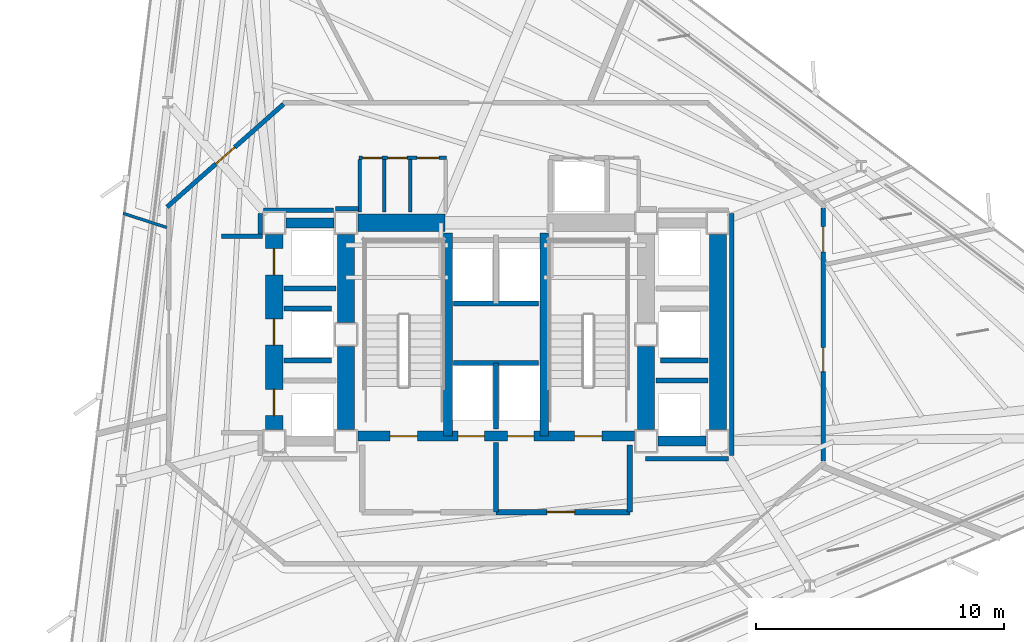
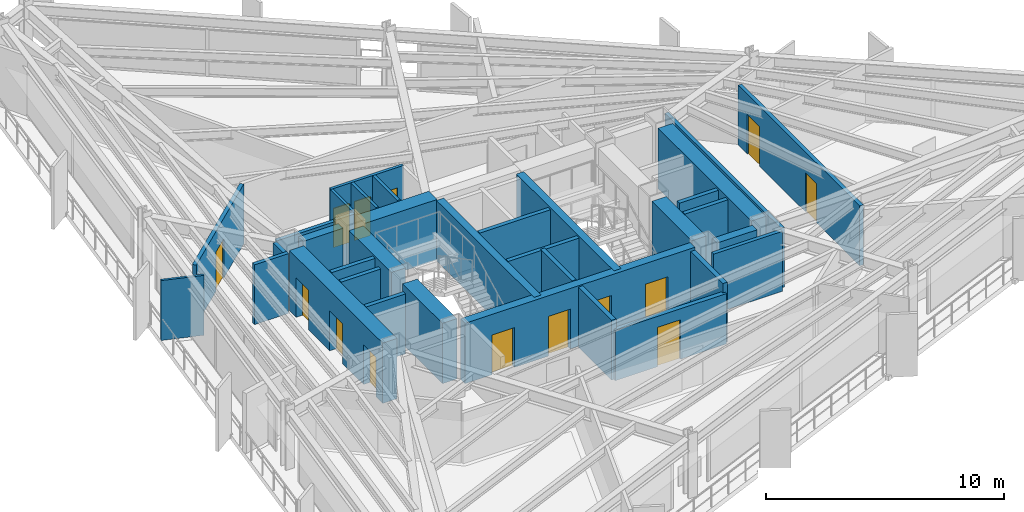
# One storey, part 7 of 13: 35 walls, 14 doors, 14 openings.
"""IFC4 building model written with IfcOpenShell, lengths in metres."""

import ifcopenshell
import ifcopenshell.guid

model = None  # the IFC model being written
_history = None  # IfcOwnerHistory: only IFC2X3 demands one
_inside = {}  # id of a spatial element -> (the spatial element, [elements in it])
_under = {}  # id of a project, library or spatial element -> (it, [spatial elements below it])
_declared = {}  # id of a project -> (the project, [libraries it declares])
_typed = {}  # id of a type object -> (the type object, [elements of that type])
_made_of = {}  # id of a material, layer set ... -> (it, [elements and type objects made of it])


def new_model(schema):
    """Start an empty IFC model of exactly this schema.

    Asked for "IFC4X3", IfcOpenShell would pick the latest addendum, in which some entities
    have other attributes; the version numbers below select the first issue.
    IFC2X3 requires an IfcOwnerHistory on every rooted entity: one is made here for all.
    """
    global model, _history
    if schema == "IFC4X3":
        model = ifcopenshell.file(schema_version=(4, 3, 0, 0))
    else:
        model = ifcopenshell.file(schema=schema)
    _inside.clear()
    _under.clear()
    _declared.clear()
    _typed.clear()
    _made_of.clear()
    _history = None
    if model.schema == "IFC2X3":
        org = make("IfcOrganization", Name="unknown")
        user = make(
            "IfcPersonAndOrganization",
            ThePerson=make("IfcPerson", FamilyName="unknown"),
            TheOrganization=org,
        )
        app = make(
            "IfcApplication",
            ApplicationDeveloper=org,
            Version="unknown",
            ApplicationFullName="unknown",
            ApplicationIdentifier="unknown",
        )
        _history = make(
            "IfcOwnerHistory",
            OwningUser=user,
            OwningApplication=app,
            ChangeAction="ADDED",
            CreationDate=0,
        )
    return model


def make(cls, **values):
    """One entity of the class cls with the attributes given. An attribute that is None is left unset."""
    return model.create_entity(
        cls, **{name: value for name, value in values.items() if value is not None}
    )


def rooted(cls, **values):
    """An entity with a GlobalId (a new one), such as an element, a storey or a relation."""
    return make(cls, GlobalId=ifcopenshell.guid.new(), OwnerHistory=_history, **values)


def si_unit(unit_type, name, prefix=None):
    """IfcSIUnit, for example si_unit("LENGTHUNIT", "METRE", prefix="MILLI")."""
    return make("IfcSIUnit", UnitType=unit_type, Prefix=prefix, Name=name)


def assignment(units):
    """IfcUnitAssignment: the units of a project."""
    return None if units is None else make("IfcUnitAssignment", Units=units)


def point(xyz):
    """IfcCartesianPoint."""
    return None if xyz is None else make("IfcCartesianPoint", Coordinates=xyz)


def direction(xyz):
    """IfcDirection."""
    return None if xyz is None else make("IfcDirection", DirectionRatios=xyz)


def frame(location, z_axis=None, x_axis=None):
    """IfcAxis2Placement3D, a coordinate frame: its origin and axes. An axis left out is left unset."""
    return make(
        "IfcAxis2Placement3D",
        Location=point(location),
        Axis=direction(z_axis),
        RefDirection=direction(x_axis),
    )


def frame_2d(location, x_axis=None):
    """IfcAxis2Placement2D, a coordinate frame in the plane: its origin and x axis."""
    return make(
        "IfcAxis2Placement2D", Location=point(location), RefDirection=direction(x_axis)
    )


def origin():
    """The frame at (0, 0, 0) with its axes left unset."""
    return frame((0.0, 0.0, 0.0))


def place(relative_to, where):
    """IfcLocalPlacement: puts the frame where relative to a parent placement (None: the world)."""
    return make(
        "IfcLocalPlacement", PlacementRelTo=relative_to, RelativePlacement=where
    )


def context(
    kind, dimensions, precision=None, world=None, true_north=None, identifier=None
):
    """IfcGeometricRepresentationContext, for example the 3D "Model" context."""
    return make(
        "IfcGeometricRepresentationContext",
        ContextIdentifier=identifier,
        ContextType=kind,
        CoordinateSpaceDimension=dimensions,
        Precision=precision,
        WorldCoordinateSystem=world,
        TrueNorth=true_north,
    )


def subcontext(parent, identifier, kind, view, scale=None):
    """IfcGeometricRepresentationSubContext, for example "Body" below "Model"."""
    return make(
        "IfcGeometricRepresentationSubContext",
        ContextIdentifier=identifier,
        ContextType=kind,
        ParentContext=parent,
        TargetScale=scale,
        TargetView=view,
    )


def project(units=None, contexts=None):
    """IfcProject with its units and contexts."""
    return rooted(
        "IfcProject",
        Name="project",
        RepresentationContexts=contexts,
        UnitsInContext=assignment(units),
    )


def spatial(cls, under=None, at=None, **own):
    """A site, building, storey or space (cls), placed at a placement, below another one or the project."""
    s = rooted(cls, ObjectPlacement=at, **own)
    if under is not None:
        _under.setdefault(under.id(), (under, []))[1].append(s)
    return s


def profile(cls, at=None, kind="AREA", **sizes):
    """A parametric profile (cls). Its sizes go by their IFC names, for example OverallWidth=200.0."""
    return make(cls, ProfileType=kind, Position=at, **sizes)


def rectangle(**sizes):
    """IfcRectangleProfileDef."""
    return profile("IfcRectangleProfileDef", **sizes)


def extrude(swept, where, along, depth):
    """IfcExtrudedAreaSolid: the profile swept, set in the frame where, extruded along a direction by depth."""
    return make(
        "IfcExtrudedAreaSolid",
        SweptArea=swept,
        Position=where,
        ExtrudedDirection=direction(along),
        Depth=depth,
    )


def shape(context_of_items, identifier, shape_type, items):
    """IfcShapeRepresentation: the items that make up one representation, for example the "Body"."""
    return make(
        "IfcShapeRepresentation",
        ContextOfItems=context_of_items,
        RepresentationIdentifier=identifier,
        RepresentationType=shape_type,
        Items=items,
    )


def material(Name=None, Category=None):
    """IfcMaterial."""
    return make("IfcMaterial", Name=Name, Category=Category)


def layer(
    of_material, thickness, ventilated=None, Name=None, Category=None, Priority=None
):
    """IfcMaterialLayer: one layer of a wall or slab, of a material (None: an air gap)."""
    return make(
        "IfcMaterialLayer",
        Material=of_material,
        LayerThickness=thickness,
        IsVentilated=ventilated,
        Name=Name,
        Category=Category,
        Priority=Priority,
    )


def layer_set(layers, Name=None):
    """IfcMaterialLayerSet."""
    return make("IfcMaterialLayerSet", MaterialLayers=layers, LayerSetName=Name)


def made_of(thing, what):
    """Note that an element or type object is made of a material, layer set ...; save() writes the relation."""
    if what is not None:
        _made_of.setdefault(what.id(), (what, []))[1].append(thing)
    return thing


def type_object(cls, material=None, **own):
    """A type object (cls), such as IfcWallType, which elements share."""
    return made_of(rooted(cls, **own), material)


def element(
    cls,
    number,
    at=None,
    inside=None,
    cuts=None,
    type_object=None,
    material=None,
    context=None,
    identifier="Body",
    shape_type=None,
    held_by="IfcProductDefinitionShape",
    body=None,
    shapes=None,
    **own,
):
    """One element of the class cls, such as IfcWall. Its Tag is "e" and its number.

    at: its placement. inside: the storey or other place that contains it. cuts: it is an
    opening in that element (IfcRelVoidsElement). A single representation is given by context,
    identifier, shape_type and body (its items); several are given by shapes. held_by: the class
    of the entity that holds the representations. save() writes the other relations.
    """
    e = rooted(cls, Tag="e%d" % number, ObjectPlacement=at, **own)
    if body is not None:
        shapes = [shape(context, identifier, shape_type, body)]
    if shapes is not None:
        e.Representation = make(held_by, Representations=shapes)
    if inside is not None:
        _inside.setdefault(inside.id(), (inside, []))[1].append(e)
    if cuts is not None:
        rooted(
            "IfcRelVoidsElement", RelatingBuildingElement=cuts, RelatedOpeningElement=e
        )
    if type_object is not None:
        _typed.setdefault(type_object.id(), (type_object, []))[1].append(e)
    return made_of(e, material)


def fill(opening, filler):
    """IfcRelFillsElement: the door or window that sits in an opening."""
    return rooted(
        "IfcRelFillsElement",
        RelatingOpeningElement=opening,
        RelatedBuildingElement=filler,
    )


def aggregate(whole, parts):
    """IfcRelAggregates: a whole, such as a stair, and the parts it consists of."""
    return rooted("IfcRelAggregates", RelatingObject=whole, RelatedObjects=parts)


def save(model, path):
    """Write the relations noted so far, then the file.

    IfcRelAggregates (storeys below a building ...), IfcRelContainedInSpatialStructure (elements
    in a storey), IfcRelDefinesByType, IfcRelAssociatesMaterial and IfcRelDeclares: one each for
    every whole, place, type object, material and project.
    """
    for whole, parts in _under.values():
        aggregate(whole, parts)
    for where, things in _inside.values():
        rooted(
            "IfcRelContainedInSpatialStructure",
            RelatedElements=things,
            RelatingStructure=where,
        )
    for kind, things in _typed.values():
        rooted("IfcRelDefinesByType", RelatedObjects=things, RelatingType=kind)
    for what, things in _made_of.values():
        rooted("IfcRelAssociatesMaterial", RelatedObjects=things, RelatingMaterial=what)
    for by, libraries in _declared.values():
        rooted("IfcRelDeclares", RelatingContext=by, RelatedDefinitions=libraries)
    model.write(path)


model = new_model("IFC4")

# Units and contexts
model_context = context("Model", 3, precision=1e-05, world=origin(), true_north=direction((0.0, 1.0)))
body_context = subcontext(model_context, "Body", "Model", "MODEL_VIEW")
ifc_project = project(units=[si_unit("LENGTHUNIT", "METRE"), si_unit("AREAUNIT", "SQUARE_METRE"), si_unit("VOLUMEUNIT", "CUBIC_METRE"), si_unit("PLANEANGLEUNIT", "RADIAN"), si_unit("MASSUNIT", "GRAM", prefix="KILO")], contexts=[model_context])

# Site, building, storey
site_placement = place(None, origin())
site = spatial("IfcSite", under=ifc_project, at=site_placement, CompositionType="ELEMENT")
building_placement = place(site_placement, origin())
building = spatial("IfcBuilding", under=site, at=building_placement, Name="Rocaltana Carrier Exchange", CompositionType="ELEMENT")
storey_placement = place(building_placement, frame((0.0, 0.0, 52.9599609375)))
storey = spatial("IfcBuildingStorey", under=building, at=storey_placement, Name="L16", CompositionType="ELEMENT", Elevation=52.9599609375)

# Walls
ifc_material_1 = material(Name="Concrete C50/60", Category="concrete")
ifc_layer_1 = layer(ifc_material_1, 0.35009765625)
ifc_layer_set_1 = layer_set([ifc_layer_1], Name="Concrete C50/60")
wall_type_1 = type_object("IfcWallType", Name="Core Internal Shear Wall 350", PredefinedType="SHEAR", material=ifc_layer_set_1)
for number, where, z_axis, x_axis, name in (
    (1, (-1.93994140625, -4.10009765625, 0.0), (0.0, 0.0, 1.0), (0.0, 1.0, 0.0), "L16 Core Shear Wall CW-STW"),
    (2, (1.93994140625, -4.10009765625, 0.0), (0.0, 0.0, 1.0), (0.0, 1.0, 0.0), "L16 Core Shear Wall CW-STE"),
):
    element("IfcWall", number, at=place(storey_placement, frame(where, z_axis=z_axis, x_axis=x_axis)), inside=storey, type_object=wall_type_1, Name=name, PredefinedType="SHEAR", context=body_context, shape_type="SweptSolid", body=[
        extrude(rectangle(XDim=8.2001953125, YDim=0.35009765625, at=frame_2d((4.10009765625, 0.0))), origin(), (0.0, 0.0, 1.0), 3.09814453125),
    ])

# Wall, openings, doors
ifc_material_2 = material(Name="Concrete C50/60", Category="concrete")
ifc_layer_2 = layer(ifc_material_2, 0.39990234375)
ifc_layer_set_2 = layer_set([ifc_layer_2], Name="Concrete C50/60")
wall_type_2 = type_object("IfcWallType", Name="Core Internal Shear Wall 400", PredefinedType="SHEAR", material=ifc_layer_set_2)
wall_1_placement = place(storey_placement, frame((-5.574951171875, -4.10009765625, 0.0), z_axis=(0.0, 0.0, 1.0), x_axis=(1.0, 0.0, 0.0)))
wall_1 = element("IfcWall", 3, at=wall_1_placement, inside=storey, type_object=wall_type_2, Name="L16 Core Shear Wall CW-S", PredefinedType="SHEAR", context=body_context, shape_type="SweptSolid", body=[
    extrude(rectangle(XDim=11.14990234375, YDim=0.39990234375, at=frame_2d((5.574951171875, 0.0))), origin(), (0.0, 0.0, 1.0), 3.09814453125),
])
opening_1_placement = place(wall_1_placement, frame((1.304931640625, 0.0, 0.0)))
opening_1 = element("IfcOpeningElement", 4, at=opening_1_placement, cuts=wall_1, Name="Opening D-ST110", PredefinedType="OPENING", context=body_context, shape_type="SweptSolid", body=[
    extrude(rectangle(XDim=1.10009765625, YDim=2.0400390625, at=frame_2d((0.550048828125, 1.02001953125))), frame((0.0, 0.2099609375, 0.0), z_axis=(0.0, -1.0, 0.0), x_axis=(1.0, 0.0, 0.0)), (0.0, 0.0, 1.0), 0.419921875),
])
opening_2_placement = place(wall_1_placement, frame((8.7451171875, 0.0, 0.0)))
opening_2 = element("IfcOpeningElement", 5, at=opening_2_placement, cuts=wall_1, Name="Opening D-ST110", PredefinedType="OPENING", context=body_context, shape_type="SweptSolid", body=[
    extrude(rectangle(XDim=1.10009765625, YDim=2.0400390625, at=frame_2d((0.550048828125, 1.02001953125))), frame((0.0, 0.2099609375, 0.0), z_axis=(0.0, -1.0, 0.0), x_axis=(1.0, 0.0, 0.0)), (0.0, 0.0, 1.0), 0.419921875),
])
opening_3_placement = place(wall_1_placement, frame((4.044921875, 0.0, 0.0)))
opening_3 = element("IfcOpeningElement", 6, at=opening_3_placement, cuts=wall_1, Name="Opening LD-110", PredefinedType="OPENING", context=body_context, shape_type="SweptSolid", body=[
    extrude(rectangle(XDim=1.06005859375, YDim=2.0400390625, at=frame_2d((0.530029296875, 1.02001953125))), frame((0.0, 0.2099609375, 0.0), z_axis=(0.0, -1.0, 0.0), x_axis=(1.0, 0.0, 0.0)), (0.0, 0.0, 1.0), 0.419921875),
])
opening_4_placement = place(wall_1_placement, frame((6.044921875, 0.0, 0.0)))
opening_4 = element("IfcOpeningElement", 7, at=opening_4_placement, cuts=wall_1, Name="Opening LD-110", PredefinedType="OPENING", context=body_context, shape_type="SweptSolid", body=[
    extrude(rectangle(XDim=1.06005859375, YDim=2.0400390625, at=frame_2d((0.530029296875, 1.02001953125))), frame((0.0, 0.2099609375, 0.0), z_axis=(0.0, -1.0, 0.0), x_axis=(1.0, 0.0, 0.0)), (0.0, 0.0, 1.0), 0.419921875),
])
ifc_material_3 = material(Name="Hollow Metal Fire Door Assembly", Category="steel")
door_type_1 = type_object("IfcDoorType", Name="Exit Stair Fire Door 1100x2040 FD90S", OperationType="NOTDEFINED", PredefinedType="DOOR", material=ifc_material_3)
door_1_placement = place(opening_1_placement, origin())
door_1 = element("IfcDoor", 8, at=door_1_placement, inside=storey, type_object=door_type_1, Name="L16 Exit Stair ST1 Fire Door", OperationType="SINGLE_SWING_LEFT", OverallHeight=2.0400390625, OverallWidth=1.10009765625, PredefinedType="DOOR", context=body_context, shape_type="SweptSolid", body=[
    extrude(rectangle(XDim=1.10009765625, YDim=2.0400390625, at=frame_2d((0.550048828125, 1.02001953125))), frame((0.0, 0.02490234375, 0.0), z_axis=(0.0, -1.0, 0.0), x_axis=(1.0, 0.0, 0.0)), (0.0, 0.0, 1.0), 0.050048828125),
])
fill(opening_1, door_1)
door_2_placement = place(opening_2_placement, origin())
door_2 = element("IfcDoor", 9, at=door_2_placement, inside=storey, type_object=door_type_1, Name="L16 Exit Stair ST2 Fire Door", OperationType="SINGLE_SWING_RIGHT", OverallHeight=2.0400390625, OverallWidth=1.10009765625, PredefinedType="DOOR", context=body_context, shape_type="SweptSolid", body=[
    extrude(rectangle(XDim=1.10009765625, YDim=2.0400390625, at=frame_2d((0.550048828125, 1.02001953125))), frame((0.0, 0.02490234375, 0.0), z_axis=(0.0, -1.0, 0.0), x_axis=(1.0, 0.0, 0.0)), (0.0, 0.0, 1.0), 0.050048828125),
])
fill(opening_2, door_2)
ifc_material_4 = material(Name="Brushed Stainless Sliding Door Leaf", Category="steel")
door_type_2 = type_object("IfcDoorType", Name="Lift Landing Sliding Door 1060x2040", OperationType="NOTDEFINED", PredefinedType="DOOR", material=ifc_material_4)
door_3_placement = place(opening_3_placement, origin())
door_3 = element("IfcDoor", 10, at=door_3_placement, inside=storey, type_object=door_type_2, Name="L16 Firefighting Lift FFL1 Landing Door", OperationType="SLIDING_TO_LEFT", OverallHeight=2.0400390625, OverallWidth=1.06005859375, PredefinedType="DOOR", context=body_context, shape_type="SweptSolid", body=[
    extrude(rectangle(XDim=1.06005859375, YDim=2.0400390625, at=frame_2d((0.530029296875, 1.02001953125))), frame((0.0, 0.02490234375, 0.0), z_axis=(0.0, -1.0, 0.0), x_axis=(1.0, 0.0, 0.0)), (0.0, 0.0, 1.0), 0.050048828125),
])
fill(opening_3, door_3)
door_4_placement = place(opening_4_placement, origin())
door_4 = element("IfcDoor", 11, at=door_4_placement, inside=storey, type_object=door_type_2, Name="L16 Firefighting Lift FFL2 Landing Door", OperationType="SLIDING_TO_RIGHT", OverallHeight=2.0400390625, OverallWidth=1.06005859375, PredefinedType="DOOR", context=body_context, shape_type="SweptSolid", body=[
    extrude(rectangle(XDim=1.06005859375, YDim=2.0400390625, at=frame_2d((0.530029296875, 1.02001953125))), frame((0.0, 0.02490234375, 0.0), z_axis=(0.0, -1.0, 0.0), x_axis=(1.0, 0.0, 0.0)), (0.0, 0.0, 1.0), 0.050048828125),
])
fill(opening_4, door_4)

# Walls
for number, where, z_axis, x_axis, name in (
    (12, (-8.47509765625, 4.5, 0.0), (0.0, 0.0, 1.0), (1.0, 0.0, 0.0), "L16 Core Shear Wall CW-WWN"),
    (13, (6.52490234375, -4.300048828125, 0.0), (0.0, 0.0, 1.0), (1.0, 0.0, 0.0), "L16 Core Shear Wall CW-EWS"),
):
    element("IfcWall", number, at=place(storey_placement, frame(where, z_axis=z_axis, x_axis=x_axis)), inside=storey, type_object=wall_type_2, Name=name, PredefinedType="SHEAR", context=body_context, shape_type="SweptSolid", body=[
        extrude(rectangle(XDim=1.9501953125, YDim=0.39990234375, at=frame_2d((0.97509765625, 0.0))), origin(), (0.0, 0.0, 1.0), 3.09814453125),
    ])
ifc_material_5 = material(Name="Concrete C60/75", Category="concrete")
ifc_layer_3 = layer(ifc_material_5, 0.699951171875)
ifc_layer_set_3 = layer_set([ifc_layer_3], Name="Concrete C60/75")
wall_type_3 = type_object("IfcWallType", Name="Core Shear Wall 700", PredefinedType="SHEAR", material=ifc_layer_set_3)
wall_2_placement = place(storey_placement, frame((-6.050048828125, 0.47509765625, 0.0), z_axis=(0.0, 0.0, 1.0), x_axis=(0.0, 1.0, 0.0)))
element("IfcWall", 14, at=wall_2_placement, inside=storey, type_object=wall_type_3, Name="L16 Core Shear Wall CW-WN", PredefinedType="SHEAR", context=body_context, shape_type="SweptSolid", body=[
    extrude(rectangle(XDim=3.5498046875, YDim=0.699951171875, at=frame_2d((1.77490234375, 0.0))), origin(), (0.0, 0.0, 1.0), 3.09814453125),
])
for number, where, z_axis, x_axis, name in (
    (15, (-6.050048828125, -3.824951171875, 0.0), (0.0, 0.0, 1.0), (0.0, 1.0, 0.0), "L16 Core Shear Wall CW-WS"),
    (16, (6.050048828125, -3.824951171875, 0.0), (0.0, 0.0, 1.0), (0.0, 1.0, 0.0), "L16 Core Shear Wall CW-ES"),
):
    element("IfcWall", number, at=place(storey_placement, frame(where, z_axis=z_axis, x_axis=x_axis)), inside=storey, type_object=wall_type_3, Name=name, PredefinedType="SHEAR", context=body_context, shape_type="SweptSolid", body=[
        extrude(rectangle(XDim=3.349853515625, YDim=0.699951171875, at=frame_2d((1.6748046875, 0.0))), origin(), (0.0, 0.0, 1.0), 3.09814453125),
    ])
wall_3_placement = place(storey_placement, frame((-5.574951171875, 4.5, 0.0), z_axis=(0.0, 0.0, 1.0), x_axis=(1.0, 0.0, 0.0)))
element("IfcWall", 17, at=wall_3_placement, inside=storey, type_object=wall_type_3, Name="L16 Core Shear Wall CW-N1", PredefinedType="SHEAR", context=body_context, shape_type="SweptSolid", body=[
    extrude(rectangle(XDim=3.52490234375, YDim=0.699951171875, at=frame_2d((1.762451171875, 0.0))), origin(), (0.0, 0.0, 1.0), 3.09814453125),
])

# Wall, openings, doors
wall_4_placement = place(storey_placement, frame((-8.949951171875, -3.824951171875, 0.0), z_axis=(0.0, 0.0, 1.0), x_axis=(0.0, 1.0, 0.0)))
wall_4 = element("IfcWall", 18, at=wall_4_placement, inside=storey, type_object=wall_type_3, Name="L16 Core Shear Wall CW-WW", PredefinedType="SHEAR", context=body_context, shape_type="SweptSolid", body=[
    extrude(rectangle(XDim=7.849853515625, YDim=0.699951171875, at=frame_2d((3.9248046875, 0.0))), origin(), (0.0, 0.0, 1.0), 3.09814453125),
])
opening_5_placement = place(wall_4_placement, frame((0.550048828125, 0.0, 0.0)))
opening_5 = element("IfcOpeningElement", 19, at=opening_5_placement, cuts=wall_4, Name="Opening LD-110", PredefinedType="OPENING", context=body_context, shape_type="SweptSolid", body=[
    extrude(rectangle(XDim=1.06005859375, YDim=2.0400390625, at=frame_2d((0.530029296875, 1.02001953125))), frame((0.0, 0.35986328125, 0.0), z_axis=(0.0, -1.0, 0.0), x_axis=(1.0, 0.0, 0.0)), (0.0, 0.0, 1.0), 0.719970703125),
])
opening_6_placement = place(wall_4_placement, frame((3.39501953125, 0.0, 0.0)))
opening_6 = element("IfcOpeningElement", 20, at=opening_6_placement, cuts=wall_4, Name="Opening LD-110", PredefinedType="OPENING", context=body_context, shape_type="SweptSolid", body=[
    extrude(rectangle(XDim=1.06005859375, YDim=2.0400390625, at=frame_2d((0.530029296875, 1.02001953125))), frame((0.0, 0.35986328125, 0.0), z_axis=(0.0, -1.0, 0.0), x_axis=(1.0, 0.0, 0.0)), (0.0, 0.0, 1.0), 0.719970703125),
])
opening_7_placement = place(wall_4_placement, frame((6.22998046875, 0.0, 0.0)))
opening_7 = element("IfcOpeningElement", 21, at=opening_7_placement, cuts=wall_4, Name="Opening LD-110", PredefinedType="OPENING", context=body_context, shape_type="SweptSolid", body=[
    extrude(rectangle(XDim=1.06005859375, YDim=2.0400390625, at=frame_2d((0.530029296875, 1.02001953125))), frame((0.0, 0.35986328125, 0.0), z_axis=(0.0, -1.0, 0.0), x_axis=(1.0, 0.0, 0.0)), (0.0, 0.0, 1.0), 0.719970703125),
])
door_5_placement = place(opening_5_placement, origin())
door_5 = element("IfcDoor", 22, at=door_5_placement, inside=storey, type_object=door_type_2, Name="L16 Low-Rise Lift PL-L1 Landing Door", OperationType="SLIDING_TO_LEFT", OverallHeight=2.0400390625, OverallWidth=1.06005859375, PredefinedType="DOOR", context=body_context, shape_type="SweptSolid", body=[
    extrude(rectangle(XDim=1.06005859375, YDim=2.0400390625, at=frame_2d((0.530029296875, 1.02001953125))), frame((0.0, 0.02490234375, 0.0), z_axis=(0.0, -1.0, 0.0), x_axis=(1.0, 0.0, 0.0)), (0.0, 0.0, 1.0), 0.050048828125),
])
fill(opening_5, door_5)
door_6_placement = place(opening_6_placement, origin())
door_6 = element("IfcDoor", 23, at=door_6_placement, inside=storey, type_object=door_type_2, Name="L16 Low-Rise Lift PL-L2 Landing Door", OperationType="SLIDING_TO_RIGHT", OverallHeight=2.0400390625, OverallWidth=1.06005859375, PredefinedType="DOOR", context=body_context, shape_type="SweptSolid", body=[
    extrude(rectangle(XDim=1.06005859375, YDim=2.0400390625, at=frame_2d((0.530029296875, 1.02001953125))), frame((0.0, 0.02490234375, 0.0), z_axis=(0.0, -1.0, 0.0), x_axis=(1.0, 0.0, 0.0)), (0.0, 0.0, 1.0), 0.050048828125),
])
fill(opening_6, door_6)
door_7_placement = place(opening_7_placement, origin())
door_7 = element("IfcDoor", 24, at=door_7_placement, inside=storey, type_object=door_type_2, Name="L16 Low-Rise Lift PL-L3 Landing Door", OperationType="SLIDING_TO_LEFT", OverallHeight=2.0400390625, OverallWidth=1.06005859375, PredefinedType="DOOR", context=body_context, shape_type="SweptSolid", body=[
    extrude(rectangle(XDim=1.06005859375, YDim=2.0400390625, at=frame_2d((0.530029296875, 1.02001953125))), frame((0.0, 0.02490234375, 0.0), z_axis=(0.0, -1.0, 0.0), x_axis=(1.0, 0.0, 0.0)), (0.0, 0.0, 1.0), 0.050048828125),
])
fill(opening_7, door_7)

# Wall
wall_5_placement = place(storey_placement, frame((8.949951171875, -3.824951171875, 0.0), z_axis=(0.0, 0.0, 1.0), x_axis=(0.0, 1.0, 0.0)))
element("IfcWall", 25, at=wall_5_placement, inside=storey, type_object=wall_type_3, Name="L16 Core Shear Wall CW-EW", PredefinedType="SHEAR", context=body_context, shape_type="SweptSolid", body=[
    extrude(rectangle(XDim=7.849853515625, YDim=0.699951171875, at=frame_2d((3.9248046875, 0.0))), origin(), (0.0, 0.0, 1.0), 3.09814453125),
])

# Wall, openings, doors
ifc_material_6 = material(Name="Gypsum & Steel Stud Partition", Category="steel")
ifc_layer_4 = layer(ifc_material_6, 0.179931640625)
ifc_layer_set_4 = layer_set([ifc_layer_4], Name="Gypsum & Steel Stud Partition")
wall_type_4 = type_object("IfcWallType", Name="Corridor Fire Partition 180 EI60", PredefinedType="PARTITIONING", material=ifc_layer_set_4)
wall_6_placement = place(storey_placement, frame((13.199951171875, 5.110107421875, 0.0), z_axis=(0.0, 0.0, 1.0), x_axis=(0.0, -1.0, 0.0)))
wall_6 = element("IfcWall", 26, at=wall_6_placement, inside=storey, type_object=wall_type_4, Name="L16 Corridor Partition 3", PredefinedType="PARTITIONING", context=body_context, shape_type="SweptSolid", body=[
    extrude(rectangle(XDim=10.22021484375, YDim=0.179931640625, at=frame_2d((5.110107421875, 0.0))), origin(), (0.0, 0.0, 1.0), 3.072998046875),
])
opening_8_placement = place(wall_6_placement, frame((5.644287109375, 0.0, 0.0)))
opening_8 = element("IfcOpeningElement", 27, at=opening_8_placement, cuts=wall_6, Name="Opening D-RM098", PredefinedType="OPENING", context=body_context, shape_type="SweptSolid", body=[
    extrude(rectangle(XDim=0.9599609375, YDim=2.02001953125, at=frame_2d((0.47998046875, 1.010009765625))), frame((0.0, 0.099853515625, 0.0), z_axis=(0.0, -1.0, 0.0), x_axis=(1.0, 0.0, 0.0)), (0.0, 0.0, 1.0), 0.199951171875),
])
opening_9_placement = place(wall_6_placement, frame((0.762939453125, 0.0, 0.0)))
opening_9 = element("IfcOpeningElement", 28, at=opening_9_placement, cuts=wall_6, Name="Opening D-LB104", PredefinedType="OPENING", context=body_context, shape_type="SweptSolid", body=[
    extrude(rectangle(XDim=1.02001953125, YDim=2.02001953125, at=frame_2d((0.510009765625, 1.010009765625))), frame((0.0, 0.099853515625, 0.0), z_axis=(0.0, -1.0, 0.0), x_axis=(1.0, 0.0, 0.0)), (0.0, 0.0, 1.0), 0.199951171875),
])
ifc_material_7 = material(Name="Powder-Coated Aluminium 6063-T6", Category="aluminium")
door_type_3 = type_object("IfcDoorType", Name="Laboratory Acoustic Door 1020x2020", OperationType="NOTDEFINED", PredefinedType="DOOR", material=ifc_material_7)
door_8_placement = place(opening_9_placement, origin())
door_8 = element("IfcDoor", 29, at=door_8_placement, inside=storey, type_object=door_type_3, Name="L16 Protocol Calibration Laboratory Entrance Door", OperationType="SINGLE_SWING_LEFT", OverallHeight=2.02001953125, OverallWidth=1.02001953125, PredefinedType="DOOR", context=body_context, shape_type="SweptSolid", body=[
    extrude(rectangle(XDim=1.02001953125, YDim=2.02001953125, at=frame_2d((0.510009765625, 1.010009765625))), frame((0.0, 0.02490234375, 0.0), z_axis=(0.0, -1.0, 0.0), x_axis=(1.0, 0.0, 0.0)), (0.0, 0.0, 1.0), 0.050048828125),
])
fill(opening_9, door_8)
ifc_material_8 = material(Name="Engineered Hardwood Timber", Category="wood")
door_type_4 = type_object("IfcDoorType", Name="Workspace Single Door 960x2020", OperationType="NOTDEFINED", PredefinedType="DOOR", material=ifc_material_8)
door_9_placement = place(opening_8_placement, origin())
door_9 = element("IfcDoor", 30, at=door_9_placement, inside=storey, type_object=door_type_4, Name="L16 Peering Conference Room Entrance Door", OperationType="SINGLE_SWING_RIGHT", OverallHeight=2.02001953125, OverallWidth=0.9599609375, PredefinedType="DOOR", context=body_context, shape_type="SweptSolid", body=[
    extrude(rectangle(XDim=0.9599609375, YDim=2.02001953125, at=frame_2d((0.47998046875, 1.010009765625))), frame((0.0, 0.02490234375, 0.0), z_axis=(0.0, -1.0, 0.0), x_axis=(1.0, 0.0, 0.0)), (0.0, 0.0, 1.0), 0.050048828125),
])
fill(opening_8, door_9)

# Wall, opening, door
wall_7_placement = place(storey_placement, frame((-13.267578125, 5.140380859375, 0.0), z_axis=(0.0, 0.0, 1.0), x_axis=(0.749626463267, 0.66186113768, 0.0)))
wall_7 = element("IfcWall", 31, at=wall_7_placement, inside=storey, type_object=wall_type_4, Name="L16 Corridor Partition 8", PredefinedType="PARTITIONING", context=body_context, shape_type="SweptSolid", body=[
    extrude(rectangle(XDim=6.27001953125, YDim=0.179931640625, at=frame_2d((3.135009765625, 0.0))), origin(), (0.0, 0.0, 1.0), 3.072998046875),
])
opening_10_placement = place(wall_7_placement, frame((2.625, 0.0, 0.0)))
opening_10 = element("IfcOpeningElement", 32, at=opening_10_placement, cuts=wall_7, Name="Opening D-LB104", PredefinedType="OPENING", context=body_context, shape_type="SweptSolid", body=[
    extrude(rectangle(XDim=1.02001953125, YDim=2.02001953125, at=frame_2d((0.510009765625, 1.010009765625))), frame((0.0, 0.099853515625, 0.0), z_axis=(0.0, -1.0, 0.0), x_axis=(1.0, 0.0, 0.0)), (0.0, 0.0, 1.0), 0.199951171875),
])
door_10_placement = place(opening_10_placement, origin())
door_10 = element("IfcDoor", 33, at=door_10_placement, inside=storey, type_object=door_type_3, Name="L16 Photonic Integration Workshop Entrance Door", OperationType="SINGLE_SWING_RIGHT", OverallHeight=2.02001953125, OverallWidth=1.02001953125, PredefinedType="DOOR", context=body_context, shape_type="SweptSolid", body=[
    extrude(rectangle(XDim=1.02001953125, YDim=2.02001953125, at=frame_2d((0.510009765625, 1.010009765625))), frame((0.0, 0.02490234375, 0.0), z_axis=(0.0, -1.0, 0.0), x_axis=(1.0, 0.0, 0.0)), (0.0, 0.0, 1.0), 0.050048828125),
])
fill(opening_10, door_10)

# Walls
wall_8_placement = place(storey_placement, frame((-9.510009765625, 4.8701171875, 0.0), z_axis=(0.0, 0.0, 1.0), x_axis=(0.0, -1.0, 0.0)))
element("IfcWall", 34, at=wall_8_placement, inside=storey, type_object=wall_type_4, Name="L16 Corridor Partition 9", PredefinedType="PARTITIONING", context=body_context, shape_type="SweptSolid", body=[
    extrude(rectangle(XDim=0.820068359375, YDim=0.179931640625, at=frame_2d((0.41015625, 0.0))), origin(), (0.0, 0.0, 1.0), 3.072998046875),
])
wall_9_placement = place(storey_placement, frame((-9.419921875, 3.9599609375, 0.0), z_axis=(0.0, 0.0, 1.0), x_axis=(-1.0, 0.0, 0.0)))
element("IfcWall", 35, at=wall_9_placement, inside=storey, type_object=wall_type_4, Name="L16 Corridor Partition 10", PredefinedType="PARTITIONING", context=body_context, shape_type="SweptSolid", body=[
    extrude(rectangle(XDim=1.650146484375, YDim=0.179931640625, at=frame_2d((0.8251953125, 0.0))), origin(), (0.0, 0.0, 1.0), 3.072998046875),
])
wall_10_placement = place(storey_placement, frame((6.030029296875, -5.010009765625, 0.0), z_axis=(0.0, 0.0, 1.0), x_axis=(1.0, 0.0, 0.0)))
element("IfcWall", 36, at=wall_10_placement, inside=storey, type_object=wall_type_4, Name="L16 Corridor Partition 16", PredefinedType="PARTITIONING", context=body_context, shape_type="SweptSolid", body=[
    extrude(rectangle(XDim=3.340087890625, YDim=0.179931640625, at=frame_2d((1.669921875, 0.0))), origin(), (0.0, 0.0, 1.0), 3.072998046875),
])
wall_11_placement = place(storey_placement, frame((9.510009765625, -4.8701171875, 0.0), z_axis=(0.0, 0.0, 1.0), x_axis=(0.0, 1.0, 0.0)))
element("IfcWall", 37, at=wall_11_placement, inside=storey, type_object=wall_type_4, Name="L16 Corridor Partition 17", PredefinedType="PARTITIONING", context=body_context, shape_type="SweptSolid", body=[
    extrude(rectangle(XDim=9.740234375, YDim=0.179931640625, at=frame_2d((4.8701171875, 0.0))), origin(), (0.0, 0.0, 1.0), 3.072998046875),
])
wall_12_placement = place(storey_placement, frame((-5.550048828125, 5.080078125, 0.0), z_axis=(0.0, 0.0, 1.0), x_axis=(-1.0, 0.0, 0.0)))
element("IfcWall", 38, at=wall_12_placement, inside=storey, type_object=wall_type_4, Name="L16 Corridor Partition 22", PredefinedType="PARTITIONING", context=body_context, shape_type="SweptSolid", body=[
    extrude(rectangle(XDim=0.919921875, YDim=0.179931640625, at=frame_2d((0.4599609375, 0.0))), origin(), (0.0, 0.0, 1.0), 3.072998046875),
])
wall_13_placement = place(storey_placement, frame((-6.562255859375, 5.010009765625, 0.0), z_axis=(0.0, 0.0, 1.0), x_axis=(-1.0, 0.0, 0.0)))
element("IfcWall", 39, at=wall_13_placement, inside=storey, type_object=wall_type_4, Name="L16 Corridor Partition 23", PredefinedType="PARTITIONING", context=body_context, shape_type="SweptSolid", body=[
    extrude(rectangle(XDim=2.807861328125, YDim=0.179931640625, at=frame_2d((1.40380859375, 0.0))), origin(), (0.0, 0.0, 1.0), 3.072998046875),
])
ifc_material_9 = material(Name="Aluminium 6063-T6 & Acoustic Glass", Category="aluminium")
ifc_layer_5 = layer(ifc_material_9, 0.114990234375)
ifc_layer_set_5 = layer_set([ifc_layer_5], Name="Aluminium 6063-T6 & Acoustic Glass")
wall_type_5 = type_object("IfcWallType", Name="Demountable Glazed Lab Partition 115", PredefinedType="MOVABLE", material=ifc_layer_set_5)
wall_14_placement = place(storey_placement, frame((-13.280029296875, 4.31494140625, 0.0), z_axis=(0.0, 0.0, 1.0), x_axis=(-0.951047661396, 0.309044245624, 0.0)))
element("IfcWall", 40, at=wall_14_placement, inside=storey, type_object=wall_type_5, Name="L16 Suite Divider Wall D9", PredefinedType="MOVABLE", context=body_context, shape_type="SweptSolid", body=[
    extrude(rectangle(XDim=1.84765625, YDim=0.114990234375, at=frame_2d((0.923828125, 0.0))), origin(), (0.0, 0.0, 1.0), 3.072998046875),
])
ifc_material_10 = material(Name="Autoclaved Aerated Concrete C30/37", Category="concrete")
ifc_layer_6 = layer(ifc_material_10, 0.219970703125)
ifc_layer_set_6 = layer_set([ifc_layer_6], Name="Autoclaved Aerated Concrete C30/37")
wall_type_6 = type_object("IfcWallType", Name="Firefighting Lobby Wall 220 EI120", PredefinedType="PARTITIONING", material=ifc_layer_set_6)
wall_15_placement = place(storey_placement, frame((5.39990234375, -7.159912109375, 0.0), z_axis=(0.0, 0.0, 1.0), x_axis=(0.0, 1.0, 0.0)))
element("IfcWall", 41, at=wall_15_placement, inside=storey, type_object=wall_type_6, Name="L16 FFL Lobby 2 East Wall", PredefinedType="PARTITIONING", context=body_context, shape_type="SweptSolid", body=[
    extrude(rectangle(XDim=2.7099609375, YDim=0.219970703125, at=frame_2d((1.35498046875, 0.0))), origin(), (0.0, 0.0, 1.0), 3.072998046875),
])
wall_16_placement = place(storey_placement, frame((0.0, -7.159912109375, 0.0), z_axis=(0.0, 0.0, 1.0), x_axis=(0.0, 1.0, 0.0)))
element("IfcWall", 42, at=wall_16_placement, inside=storey, type_object=wall_type_6, Name="L16 FFL Lobby Centre Wall", PredefinedType="PARTITIONING", context=body_context, shape_type="SweptSolid", body=[
    extrude(rectangle(XDim=2.809814453125, YDim=0.219970703125, at=frame_2d((1.40478515625, 0.0))), origin(), (0.0, 0.0, 1.0), 3.072998046875),
])

# Wall, opening, door
wall_17_placement = place(storey_placement, frame((0.0, -7.159912109375, 0.0), z_axis=(0.0, 0.0, 1.0), x_axis=(1.0, 0.0, 0.0)))
wall_17 = element("IfcWall", 43, at=wall_17_placement, inside=storey, type_object=wall_type_6, Name="L16 FFL Lobby 2 South Wall", PredefinedType="PARTITIONING", context=body_context, shape_type="SweptSolid", body=[
    extrude(rectangle(XDim=5.39990234375, YDim=0.219970703125, at=frame_2d((2.699951171875, 0.0))), origin(), (0.0, 0.0, 1.0), 2.587158203125),
])
opening_11_placement = place(wall_17_placement, frame((2.050048828125, 0.0, 0.0)))
opening_11 = element("IfcOpeningElement", 44, at=opening_11_placement, cuts=wall_17, Name="Opening D-FF115", PredefinedType="OPENING", context=body_context, shape_type="SweptSolid", body=[
    extrude(rectangle(XDim=1.1201171875, YDim=2.02001953125, at=frame_2d((0.56005859375, 1.010009765625))), frame((0.0, 0.119873046875, 0.0), z_axis=(0.0, -1.0, 0.0), x_axis=(1.0, 0.0, 0.0)), (0.0, 0.0, 1.0), 0.239990234375),
])
ifc_material_11 = material(Name="Hollow Metal Fire Door Assembly", Category="steel")
door_type_5 = type_object("IfcDoorType", Name="Firefighting Lobby Door 1120x2020 FD60S", OperationType="NOTDEFINED", PredefinedType="DOOR", material=ifc_material_11)
door_11_placement = place(opening_11_placement, origin())
door_11 = element("IfcDoor", 45, at=door_11_placement, inside=storey, type_object=door_type_5, Name="L16 Firefighting Lift Lobby 2 Door", OperationType="SINGLE_SWING_RIGHT", OverallHeight=2.02001953125, OverallWidth=1.1201171875, PredefinedType="DOOR", context=body_context, shape_type="SweptSolid", body=[
    extrude(rectangle(XDim=1.1201171875, YDim=2.02001953125, at=frame_2d((0.56005859375, 1.010009765625))), frame((0.0, 0.02490234375, 0.0), z_axis=(0.0, -1.0, 0.0), x_axis=(1.0, 0.0, 0.0)), (0.0, 0.0, 1.0), 0.050048828125),
])
fill(opening_11, door_11)

# Walls
ifc_material_12 = material(Name="Reinforced Concrete Block C35/45", Category="concrete")
ifc_layer_7 = layer(ifc_material_12, 0.199951171875)
ifc_layer_set_7 = layer_set([ifc_layer_7], Name="Reinforced Concrete Block C35/45")
wall_type_7 = type_object("IfcWallType", Name="Lift Hoistway Enclosure Wall 200 EI120", PredefinedType="PARTITIONING", material=ifc_layer_set_7)
wall_18_placement = place(storey_placement, frame((0.0, -3.820068359375, 0.0), z_axis=(0.0, 0.0, 1.0), x_axis=(0.0, 1.0, 0.0)))
element("IfcWall", 46, at=wall_18_placement, inside=storey, type_object=wall_type_7, Name="L16 FFL Shaft Divider", PredefinedType="PARTITIONING", context=body_context, shape_type="SweptSolid", body=[
    extrude(rectangle(XDim=2.670166015625, YDim=0.199951171875, at=frame_2d((1.3349609375, 0.0))), origin(), (0.0, 0.0, 1.0), 3.072998046875),
])
for number, where, z_axis, x_axis, name in (
    (47, (-1.719970703125, -1.14990234375, 0.0), (0.0, 0.0, 1.0), (1.0, 0.0, 0.0), "L16 FFL Shaft Back Wall"),
    (48, (-1.719970703125, 1.25, 0.0), (0.0, 0.0, 1.0), (1.0, 0.0, 0.0), "L16 High-Rise Shaft Back Wall"),
):
    element("IfcWall", number, at=place(storey_placement, frame(where, z_axis=z_axis, x_axis=x_axis)), inside=storey, type_object=wall_type_7, Name=name, PredefinedType="PARTITIONING", context=body_context, shape_type="SweptSolid", body=[
        extrude(rectangle(XDim=3.43994140625, YDim=0.199951171875, at=frame_2d((1.719970703125, 0.0))), origin(), (0.0, 0.0, 1.0), 3.072998046875),
    ])
wall_19_placement = place(storey_placement, frame((-8.550048828125, 1.85009765625, 0.0), z_axis=(0.0, 0.0, 1.0), x_axis=(1.0, 0.0, 0.0)))
element("IfcWall", 49, at=wall_19_placement, inside=storey, type_object=wall_type_7, Name="L16 Low-Rise Shaft Divider 2", PredefinedType="PARTITIONING", context=body_context, shape_type="SweptSolid", body=[
    extrude(rectangle(XDim=2.10009765625, YDim=0.199951171875, at=frame_2d((1.050048828125, 0.0))), origin(), (0.0, 0.0, 1.0), 3.072998046875),
])
for number, where, z_axis, x_axis, name in (
    (50, (-8.550048828125, -1.050048828125, 0.0), (0.0, 0.0, 1.0), (1.0, 0.0, 0.0), "L16 Low-Rise Center Shaft Wall South"),
    (51, (-8.550048828125, 1.050048828125, 0.0), (0.0, 0.0, 1.0), (1.0, 0.0, 0.0), "L16 Low-Rise Center Shaft Wall North"),
):
    element("IfcWall", number, at=place(storey_placement, frame(where, z_axis=z_axis, x_axis=x_axis)), inside=storey, type_object=wall_type_7, Name=name, PredefinedType="PARTITIONING", context=body_context, shape_type="SweptSolid", body=[
        extrude(rectangle(XDim=1.91015625, YDim=0.199951171875, at=frame_2d((0.955078125, 0.0))), origin(), (0.0, 0.0, 1.0), 3.072998046875),
    ])
wall_20_placement = place(storey_placement, frame((6.449951171875, -1.85009765625, 0.0), z_axis=(0.0, 0.0, 1.0), x_axis=(1.0, 0.0, 0.0)))
element("IfcWall", 52, at=wall_20_placement, inside=storey, type_object=wall_type_7, Name="L16 Mid-Rise Shaft Divider 1", PredefinedType="PARTITIONING", context=body_context, shape_type="SweptSolid", body=[
    extrude(rectangle(XDim=2.10009765625, YDim=0.199951171875, at=frame_2d((1.050048828125, 0.0))), origin(), (0.0, 0.0, 1.0), 3.072998046875),
])
wall_21_placement = place(storey_placement, frame((6.639892578125, -1.050048828125, 0.0), z_axis=(0.0, 0.0, 1.0), x_axis=(1.0, 0.0, 0.0)))
element("IfcWall", 53, at=wall_21_placement, inside=storey, type_object=wall_type_7, Name="L16 Mid-Rise Center Shaft Wall South", PredefinedType="PARTITIONING", context=body_context, shape_type="SweptSolid", body=[
    extrude(rectangle(XDim=1.91015625, YDim=0.199951171875, at=frame_2d((0.955078125, 0.0))), origin(), (0.0, 0.0, 1.0), 3.072998046875),
])
ifc_material_13 = material(Name="Moisture-Resistant Masonry C30/37", Category="masonry")
ifc_layer_8 = layer(ifc_material_13, 0.139892578125)
ifc_layer_set_8 = layer_set([ifc_layer_8], Name="Moisture-Resistant Masonry C30/37")
wall_type_8 = type_object("IfcWallType", Name="Wet-Area Sanitary Partition 140", PredefinedType="PARTITIONING", material=ifc_layer_set_8)
for number, where, z_axis, x_axis, name in (
    (54, (-5.5, 4.949951171875, 0.0), (0.0, 0.0, 1.0), (0.0, 1.0, 0.0), "L16 Sanitary West Wall"),
    (55, (-4.5, 4.949951171875, 0.0), (0.0, 0.0, 1.0), (0.0, 1.0, 0.0), "L16 Sanitary Divider 1"),
    (56, (-3.449951171875, 4.949951171875, 0.0), (0.0, 0.0, 1.0), (0.0, 1.0, 0.0), "L16 Sanitary Divider 2"),
):
    element("IfcWall", number, at=place(storey_placement, frame(where, z_axis=z_axis, x_axis=x_axis)), inside=storey, type_object=wall_type_8, Name=name, PredefinedType="PARTITIONING", context=body_context, shape_type="SweptSolid", body=[
        extrude(rectangle(XDim=2.10009765625, YDim=0.139892578125, at=frame_2d((1.050048828125, 0.0))), origin(), (0.0, 0.0, 1.0), 3.072998046875),
    ])

# Wall, openings, doors
wall_22_placement = place(storey_placement, frame((-5.52001953125, 7.1201171875, 0.0), z_axis=(0.0, 0.0, 1.0), x_axis=(1.0, 0.0, 0.0)))
wall_22 = element("IfcWall", 57, at=wall_22_placement, inside=storey, type_object=wall_type_8, Name="L16 Sanitary North Wall", PredefinedType="PARTITIONING", context=body_context, shape_type="SweptSolid", body=[
    extrude(rectangle(XDim=3.52001953125, YDim=0.139892578125, at=frame_2d((1.760009765625, 0.0))), origin(), (0.0, 0.0, 1.0), 3.072998046875),
])
opening_12_placement = place(wall_22_placement, frame((0.139892578125, 0.0, 0.0)))
opening_12 = element("IfcOpeningElement", 58, at=opening_12_placement, cuts=wall_22, Name="Opening D-RS082", PredefinedType="OPENING", context=body_context, shape_type="SweptSolid", body=[
    extrude(rectangle(XDim=0.780029296875, YDim=2.010009765625, at=frame_2d((0.39013671875, 1.0048828125))), frame((0.0, 0.079833984375, 0.0), z_axis=(0.0, -1.0, 0.0), x_axis=(1.0, 0.0, 0.0)), (0.0, 0.0, 1.0), 0.159912109375),
])
opening_13_placement = place(wall_22_placement, frame((1.14990234375, 0.0, 0.0)))
opening_13 = element("IfcOpeningElement", 59, at=opening_13_placement, cuts=wall_22, Name="Opening D-RS082", PredefinedType="OPENING", context=body_context, shape_type="SweptSolid", body=[
    extrude(rectangle(XDim=0.780029296875, YDim=2.010009765625, at=frame_2d((0.39013671875, 1.0048828125))), frame((0.0, 0.079833984375, 0.0), z_axis=(0.0, -1.0, 0.0), x_axis=(1.0, 0.0, 0.0)), (0.0, 0.0, 1.0), 0.159912109375),
])
opening_14_placement = place(wall_22_placement, frame((2.340087890625, 0.0, 0.0)))
opening_14 = element("IfcOpeningElement", 60, at=opening_14_placement, cuts=wall_22, Name="Opening D-WC090", PredefinedType="OPENING", context=body_context, shape_type="SweptSolid", body=[
    extrude(rectangle(XDim=0.8798828125, YDim=2.02001953125, at=frame_2d((0.43994140625, 1.010009765625))), frame((0.0, 0.079833984375, 0.0), z_axis=(0.0, -1.0, 0.0), x_axis=(1.0, 0.0, 0.0)), (0.0, 0.0, 1.0), 0.159912109375),
])
ifc_material_14 = material(Name="High-Pressure Laminate Timber", Category="wood")
door_type_6 = type_object("IfcDoorType", Name="Restroom & Accessible WC Door 880x2020", OperationType="NOTDEFINED", PredefinedType="DOOR", material=ifc_material_14)
door_12_placement = place(opening_14_placement, origin())
door_12 = element("IfcDoor", 61, at=door_12_placement, inside=storey, type_object=door_type_6, Name="L16 Accessible Toilet Door", OperationType="SINGLE_SWING_LEFT", OverallHeight=2.02001953125, OverallWidth=0.8798828125, PredefinedType="DOOR", context=body_context, shape_type="SweptSolid", body=[
    extrude(rectangle(XDim=0.8798828125, YDim=2.02001953125, at=frame_2d((0.43994140625, 1.010009765625))), frame((0.0, 0.02490234375, 0.0), z_axis=(0.0, -1.0, 0.0), x_axis=(1.0, 0.0, 0.0)), (0.0, 0.0, 1.0), 0.050048828125),
])
fill(opening_14, door_12)
ifc_material_15 = material(Name="Hollow Metal Access Door Leaf", Category="steel")
door_type_7 = type_object("IfcDoorType", Name="Riser & Service Closet Door 780x2010", OperationType="NOTDEFINED", PredefinedType="DOOR", material=ifc_material_15)
door_13_placement = place(opening_12_placement, origin())
door_13 = element("IfcDoor", 62, at=door_13_placement, inside=storey, type_object=door_type_7, Name="L16 Cleaner Store Door", OperationType="SINGLE_SWING_LEFT", OverallHeight=2.010009765625, OverallWidth=0.780029296875, PredefinedType="DOOR", context=body_context, shape_type="SweptSolid", body=[
    extrude(rectangle(XDim=0.780029296875, YDim=2.010009765625, at=frame_2d((0.39013671875, 1.0048828125))), frame((0.0, 0.02490234375, 0.0), z_axis=(0.0, -1.0, 0.0), x_axis=(1.0, 0.0, 0.0)), (0.0, 0.0, 1.0), 0.050048828125),
])
fill(opening_12, door_13)
door_14_placement = place(opening_13_placement, origin())
door_14 = element("IfcDoor", 63, at=door_14_placement, inside=storey, type_object=door_type_7, Name="L16 Staff Restroom Door", OperationType="SINGLE_SWING_RIGHT", OverallHeight=2.010009765625, OverallWidth=0.780029296875, PredefinedType="DOOR", context=body_context, shape_type="SweptSolid", body=[
    extrude(rectangle(XDim=0.780029296875, YDim=2.010009765625, at=frame_2d((0.39013671875, 1.0048828125))), frame((0.0, 0.02490234375, 0.0), z_axis=(0.0, -1.0, 0.0), x_axis=(1.0, 0.0, 0.0)), (0.0, 0.0, 1.0), 0.050048828125),
])
fill(opening_13, door_14)

save(model, "model.ifc")
